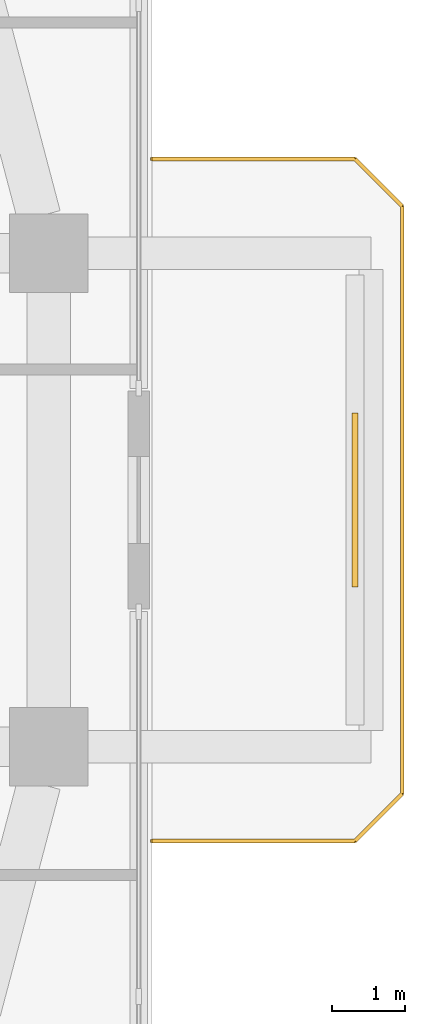
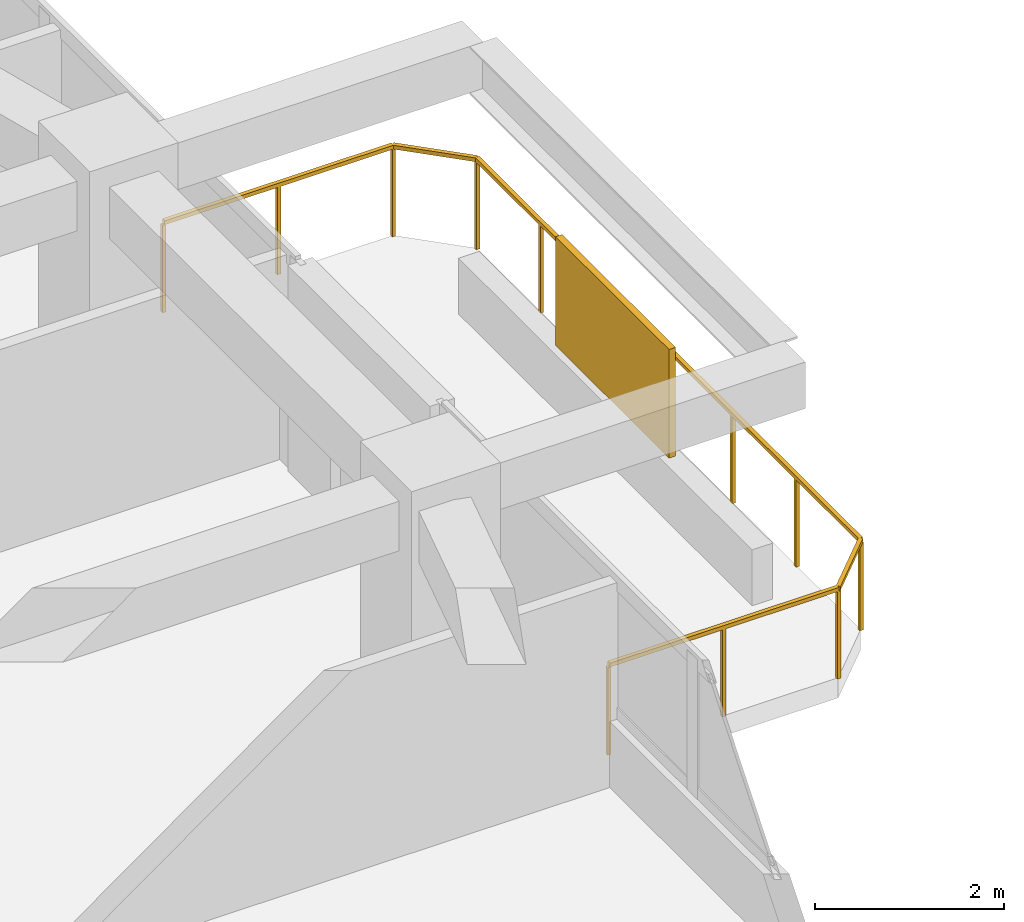
# One storey, part 15 of 15: 1 railing, 1 shading device.
"""IFC4 building model written with IfcOpenShell, lengths in metres."""

import ifcopenshell
import ifcopenshell.guid

model = None  # the IFC model being written
_history = None  # IfcOwnerHistory: only IFC2X3 demands one
_inside = {}  # id of a spatial element -> (the spatial element, [elements in it])
_under = {}  # id of a project, library or spatial element -> (it, [spatial elements below it])
_declared = {}  # id of a project -> (the project, [libraries it declares])
_typed = {}  # id of a type object -> (the type object, [elements of that type])
_made_of = {}  # id of a material, layer set ... -> (it, [elements and type objects made of it])


def new_model(schema):
    """Start an empty IFC model of exactly this schema.

    Asked for "IFC4X3", IfcOpenShell would pick the latest addendum, in which some entities
    have other attributes; the version numbers below select the first issue.
    IFC2X3 requires an IfcOwnerHistory on every rooted entity: one is made here for all.
    """
    global model, _history
    if schema == "IFC4X3":
        model = ifcopenshell.file(schema_version=(4, 3, 0, 0))
    else:
        model = ifcopenshell.file(schema=schema)
    _inside.clear()
    _under.clear()
    _declared.clear()
    _typed.clear()
    _made_of.clear()
    _history = None
    if model.schema == "IFC2X3":
        org = make("IfcOrganization", Name="unknown")
        user = make(
            "IfcPersonAndOrganization",
            ThePerson=make("IfcPerson", FamilyName="unknown"),
            TheOrganization=org,
        )
        app = make(
            "IfcApplication",
            ApplicationDeveloper=org,
            Version="unknown",
            ApplicationFullName="unknown",
            ApplicationIdentifier="unknown",
        )
        _history = make(
            "IfcOwnerHistory",
            OwningUser=user,
            OwningApplication=app,
            ChangeAction="ADDED",
            CreationDate=0,
        )
    return model


def make(cls, **values):
    """One entity of the class cls with the attributes given. An attribute that is None is left unset."""
    return model.create_entity(
        cls, **{name: value for name, value in values.items() if value is not None}
    )


def rooted(cls, **values):
    """An entity with a GlobalId (a new one), such as an element, a storey or a relation."""
    return make(cls, GlobalId=ifcopenshell.guid.new(), OwnerHistory=_history, **values)


def si_unit(unit_type, name, prefix=None):
    """IfcSIUnit, for example si_unit("LENGTHUNIT", "METRE", prefix="MILLI")."""
    return make("IfcSIUnit", UnitType=unit_type, Prefix=prefix, Name=name)


def derived_unit(unit_type, elements):
    """IfcDerivedUnit: a product of units, each with its exponent."""
    return make(
        "IfcDerivedUnit",
        Elements=[
            make("IfcDerivedUnitElement", Unit=unit, Exponent=power)
            for unit, power in elements
        ],
        UnitType=unit_type,
    )


def assignment(units):
    """IfcUnitAssignment: the units of a project."""
    return None if units is None else make("IfcUnitAssignment", Units=units)


def point(xyz):
    """IfcCartesianPoint."""
    return None if xyz is None else make("IfcCartesianPoint", Coordinates=xyz)


def direction(xyz):
    """IfcDirection."""
    return None if xyz is None else make("IfcDirection", DirectionRatios=xyz)


def frame(location, z_axis=None, x_axis=None):
    """IfcAxis2Placement3D, a coordinate frame: its origin and axes. An axis left out is left unset."""
    return make(
        "IfcAxis2Placement3D",
        Location=point(location),
        Axis=direction(z_axis),
        RefDirection=direction(x_axis),
    )


def frame_2d(location, x_axis=None):
    """IfcAxis2Placement2D, a coordinate frame in the plane: its origin and x axis."""
    return make(
        "IfcAxis2Placement2D", Location=point(location), RefDirection=direction(x_axis)
    )


def origin():
    """The frame at (0, 0, 0) with its axes left unset."""
    return frame((0.0, 0.0, 0.0))


def origin_2d():
    """The frame at (0, 0) in the plane with its x axis left unset."""
    return frame_2d((0.0, 0.0))


def place(relative_to, where):
    """IfcLocalPlacement: puts the frame where relative to a parent placement (None: the world)."""
    return make(
        "IfcLocalPlacement", PlacementRelTo=relative_to, RelativePlacement=where
    )


def context(
    kind, dimensions, precision=None, world=None, true_north=None, identifier=None
):
    """IfcGeometricRepresentationContext, for example the 3D "Model" context."""
    return make(
        "IfcGeometricRepresentationContext",
        ContextIdentifier=identifier,
        ContextType=kind,
        CoordinateSpaceDimension=dimensions,
        Precision=precision,
        WorldCoordinateSystem=world,
        TrueNorth=true_north,
    )


def subcontext(parent, identifier, kind, view, scale=None):
    """IfcGeometricRepresentationSubContext, for example "Body" below "Model"."""
    return make(
        "IfcGeometricRepresentationSubContext",
        ContextIdentifier=identifier,
        ContextType=kind,
        ParentContext=parent,
        TargetScale=scale,
        TargetView=view,
    )


def project(units=None, contexts=None):
    """IfcProject with its units and contexts."""
    return rooted(
        "IfcProject",
        Name="project",
        RepresentationContexts=contexts,
        UnitsInContext=assignment(units),
    )


def spatial(cls, under=None, at=None, **own):
    """A site, building, storey or space (cls), placed at a placement, below another one or the project."""
    s = rooted(cls, ObjectPlacement=at, **own)
    if under is not None:
        _under.setdefault(under.id(), (under, []))[1].append(s)
    return s


def profile(cls, at=None, kind="AREA", **sizes):
    """A parametric profile (cls). Its sizes go by their IFC names, for example OverallWidth=200.0."""
    return make(cls, ProfileType=kind, Position=at, **sizes)


def rectangle(**sizes):
    """IfcRectangleProfileDef."""
    return profile("IfcRectangleProfileDef", **sizes)


def extrude(swept, where, along, depth):
    """IfcExtrudedAreaSolid: the profile swept, set in the frame where, extruded along a direction by depth."""
    return make(
        "IfcExtrudedAreaSolid",
        SweptArea=swept,
        Position=where,
        ExtrudedDirection=direction(along),
        Depth=depth,
    )


def shape(context_of_items, identifier, shape_type, items):
    """IfcShapeRepresentation: the items that make up one representation, for example the "Body"."""
    return make(
        "IfcShapeRepresentation",
        ContextOfItems=context_of_items,
        RepresentationIdentifier=identifier,
        RepresentationType=shape_type,
        Items=items,
    )


def material(Name=None, Category=None):
    """IfcMaterial."""
    return make("IfcMaterial", Name=Name, Category=Category)


def layer(
    of_material, thickness, ventilated=None, Name=None, Category=None, Priority=None
):
    """IfcMaterialLayer: one layer of a wall or slab, of a material (None: an air gap)."""
    return make(
        "IfcMaterialLayer",
        Material=of_material,
        LayerThickness=thickness,
        IsVentilated=ventilated,
        Name=Name,
        Category=Category,
        Priority=Priority,
    )


def layer_set(layers, Name=None):
    """IfcMaterialLayerSet."""
    return make("IfcMaterialLayerSet", MaterialLayers=layers, LayerSetName=Name)


def made_of(thing, what):
    """Note that an element or type object is made of a material, layer set ...; save() writes the relation."""
    if what is not None:
        _made_of.setdefault(what.id(), (what, []))[1].append(thing)
    return thing


def type_object(cls, material=None, **own):
    """A type object (cls), such as IfcWallType, which elements share."""
    return made_of(rooted(cls, **own), material)


def element(
    cls,
    number,
    at=None,
    inside=None,
    cuts=None,
    type_object=None,
    material=None,
    context=None,
    identifier="Body",
    shape_type=None,
    held_by="IfcProductDefinitionShape",
    body=None,
    shapes=None,
    **own,
):
    """One element of the class cls, such as IfcWall. Its Tag is "e" and its number.

    at: its placement. inside: the storey or other place that contains it. cuts: it is an
    opening in that element (IfcRelVoidsElement). A single representation is given by context,
    identifier, shape_type and body (its items); several are given by shapes. held_by: the class
    of the entity that holds the representations. save() writes the other relations.
    """
    e = rooted(cls, Tag="e%d" % number, ObjectPlacement=at, **own)
    if body is not None:
        shapes = [shape(context, identifier, shape_type, body)]
    if shapes is not None:
        e.Representation = make(held_by, Representations=shapes)
    if inside is not None:
        _inside.setdefault(inside.id(), (inside, []))[1].append(e)
    if cuts is not None:
        rooted(
            "IfcRelVoidsElement", RelatingBuildingElement=cuts, RelatedOpeningElement=e
        )
    if type_object is not None:
        _typed.setdefault(type_object.id(), (type_object, []))[1].append(e)
    return made_of(e, material)


def aggregate(whole, parts):
    """IfcRelAggregates: a whole, such as a stair, and the parts it consists of."""
    return rooted("IfcRelAggregates", RelatingObject=whole, RelatedObjects=parts)


def save(model, path):
    """Write the relations noted so far, then the file.

    IfcRelAggregates (storeys below a building ...), IfcRelContainedInSpatialStructure (elements
    in a storey), IfcRelDefinesByType, IfcRelAssociatesMaterial and IfcRelDeclares: one each for
    every whole, place, type object, material and project.
    """
    for whole, parts in _under.values():
        aggregate(whole, parts)
    for where, things in _inside.values():
        rooted(
            "IfcRelContainedInSpatialStructure",
            RelatedElements=things,
            RelatingStructure=where,
        )
    for kind, things in _typed.values():
        rooted("IfcRelDefinesByType", RelatedObjects=things, RelatingType=kind)
    for what, things in _made_of.values():
        rooted("IfcRelAssociatesMaterial", RelatedObjects=things, RelatingMaterial=what)
    for by, libraries in _declared.values():
        rooted("IfcRelDeclares", RelatingContext=by, RelatedDefinitions=libraries)
    model.write(path)


model = new_model("IFC4")

# Units and contexts
model_context = context("Model", 3, precision=1e-05, world=origin(), true_north=direction((0.0, 1.0)))
body_context = subcontext(model_context, "Body", "Model", "MODEL_VIEW")
ifc_project = project(units=[si_unit("LENGTHUNIT", "METRE"), si_unit("AREAUNIT", "SQUARE_METRE"), si_unit("VOLUMEUNIT", "CUBIC_METRE"), si_unit("PLANEANGLEUNIT", "RADIAN"), si_unit("MASSUNIT", "GRAM", prefix="KILO"), derived_unit("THERMALTRANSMITTANCEUNIT", [(si_unit("POWERUNIT", "WATT"), 1), (si_unit("LENGTHUNIT", "METRE"), -2), (si_unit("THERMODYNAMICTEMPERATUREUNIT", "KELVIN"), -1)])], contexts=[model_context])

# Site, building, storey
site_placement = place(None, origin())
site = spatial("IfcSite", under=ifc_project, at=site_placement, CompositionType="ELEMENT")
building_placement = place(site_placement, origin())
building = spatial("IfcBuilding", under=site, at=building_placement, Name="Koralith Skygarden Medical Center", CompositionType="ELEMENT")
storey_placement = place(building_placement, frame((0.0, 0.0, 27.5400390625)))
storey = spatial("IfcBuildingStorey", under=building, at=storey_placement, Name="L06", CompositionType="ELEMENT", Elevation=27.5400390625)

# Railing
ifc_material_1 = material(Name="Steel ASTM A500 Grade C", Category="steel")
railing_type = type_object("IfcRailingType", Name="Outdoor Terrace & Balcony Safety Guardrail 1180", PredefinedType="GUARDRAIL", material=ifc_material_1)
railing_placement = place(storey_placement, frame((65.800048828125, 21.199951171875, 0.0)))
element("IfcRailing", 1, at=railing_placement, inside=storey, type_object=railing_type, Name="L06 E Balcony Perimeter Guardrail", PredefinedType="GUARDRAIL", context=body_context, shape_type="SweptSolid", body=[
    extrude(rectangle(XDim=0.050048828125, YDim=0.050048828125, at=origin_2d()), frame((0.001953125, 0.0, 1.15478515625), z_axis=(1.0, 0.0, 0.0), x_axis=(0.0, 1.0, 0.0)), (0.0, 0.0, 1.0), 2.796142578125),
    extrude(rectangle(XDim=0.050048828125, YDim=0.050048828125, at=origin_2d()), frame((2.801513671875, 0.00146484375, 1.15478515625), z_axis=(0.706973978714, 0.707239558722, 0.0), x_axis=(-0.707239558722, 0.706973978714, 0.0)), (0.0, 0.0, 1.0), 0.915283203125),
    extrude(rectangle(XDim=0.050048828125, YDim=0.050048828125, at=origin_2d()), frame((3.449951171875, 0.652099609375, 1.15478515625), z_axis=(0.0, 1.0, 0.0), x_axis=(-1.0, 0.0, 0.0)), (0.0, 0.0, 1.0), 8.095947265625),
    extrude(rectangle(XDim=0.050048828125, YDim=0.050048828125, at=origin_2d()), frame((3.448486328125, 8.75146484375, 1.15478515625), z_axis=(-0.706973978714, 0.707239558722, 0.0), x_axis=(-0.707239558722, -0.706973978714, 0.0)), (0.0, 0.0, 1.0), 0.915283203125),
    extrude(rectangle(XDim=0.050048828125, YDim=0.050048828125, at=origin_2d()), frame((2.798095703125, 9.400146484375, 1.15478515625), z_axis=(-1.0, 0.0, 0.0), x_axis=(0.0, -1.0, 0.0)), (0.0, 0.0, 1.0), 2.796142578125),
    extrude(rectangle(XDim=0.0419921875, YDim=0.0419921875, at=origin_2d()), origin(), (0.0, 0.0, 1.0), 1.1279296875),
    extrude(rectangle(XDim=0.0419921875, YDim=0.0419921875, at=origin_2d()), frame((1.39990234375, 0.0, 0.0)), (0.0, 0.0, 1.0), 1.1279296875),
    extrude(rectangle(XDim=0.0419921875, YDim=0.0419921875, at=origin_2d()), frame((2.800048828125, 0.0, 0.0)), (0.0, 0.0, 1.0), 1.1279296875),
    extrude(rectangle(XDim=0.0419921875, YDim=0.0419921875, at=origin_2d()), frame((3.449951171875, 0.650146484375, 0.0)), (0.0, 0.0, 1.0), 1.1279296875),
    extrude(rectangle(XDim=0.0419921875, YDim=0.0419921875, at=origin_2d()), frame((3.449951171875, 2.0, 0.0)), (0.0, 0.0, 1.0), 1.1279296875),
    extrude(rectangle(XDim=0.0419921875, YDim=0.0419921875, at=origin_2d()), frame((3.449951171875, 3.35009765625, 0.0)), (0.0, 0.0, 1.0), 1.1279296875),
    extrude(rectangle(XDim=0.0419921875, YDim=0.0419921875, at=origin_2d()), frame((3.449951171875, 4.7001953125, 0.0)), (0.0, 0.0, 1.0), 1.1279296875),
    extrude(rectangle(XDim=0.0419921875, YDim=0.0419921875, at=origin_2d()), frame((3.449951171875, 6.050048828125, 0.0)), (0.0, 0.0, 1.0), 1.1279296875),
    extrude(rectangle(XDim=0.0419921875, YDim=0.0419921875, at=origin_2d()), frame((3.449951171875, 7.39990234375, 0.0)), (0.0, 0.0, 1.0), 1.1279296875),
    extrude(rectangle(XDim=0.0419921875, YDim=0.0419921875, at=origin_2d()), frame((3.449951171875, 8.75, 0.0)), (0.0, 0.0, 1.0), 1.1279296875),
    extrude(rectangle(XDim=0.0419921875, YDim=0.0419921875, at=origin_2d()), frame((2.800048828125, 9.400146484375, 0.0)), (0.0, 0.0, 1.0), 1.1279296875),
    extrude(rectangle(XDim=0.0419921875, YDim=0.0419921875, at=origin_2d()), frame((1.39990234375, 9.400146484375, 0.0)), (0.0, 0.0, 1.0), 1.1279296875),
    extrude(rectangle(XDim=0.0419921875, YDim=0.0419921875, at=origin_2d()), frame((0.0, 9.400146484375, 0.0)), (0.0, 0.0, 1.0), 1.1279296875),
])

# Shading device
ifc_material_2 = material(Name="Aluminium 6063-T6", Category="aluminium")
ifc_layer = layer(ifc_material_2, 0.080078125)
ifc_layer_set = layer_set([ifc_layer], Name="Aluminium 6063-T6")
shading_device_type = type_object("IfcShadingDeviceType", Name="Perforated Biophilic Balcony Trellis Screen", PredefinedType="USERDEFINED", material=ifc_layer_set)
shading_device_placement = place(storey_placement, frame((68.60009765625, 25.89990234375, 0.719970703125), z_axis=(0.0, 0.0, 1.0), x_axis=(0.0, 1.0, 0.0)))
element("IfcShadingDevice", 2, at=shading_device_placement, inside=storey, type_object=shading_device_type, Name="L06 E Biophilic Balcony Trellis Screen", ObjectType="HURRICANE SCREEN", PredefinedType="USERDEFINED", context=body_context, shape_type="SweptSolid", body=[
    extrude(rectangle(XDim=2.39990234375, YDim=0.080078125, at=origin_2d()), origin(), (0.0, 0.0, 1.0), 1.39990234375),
])

save(model, "model.ifc")
